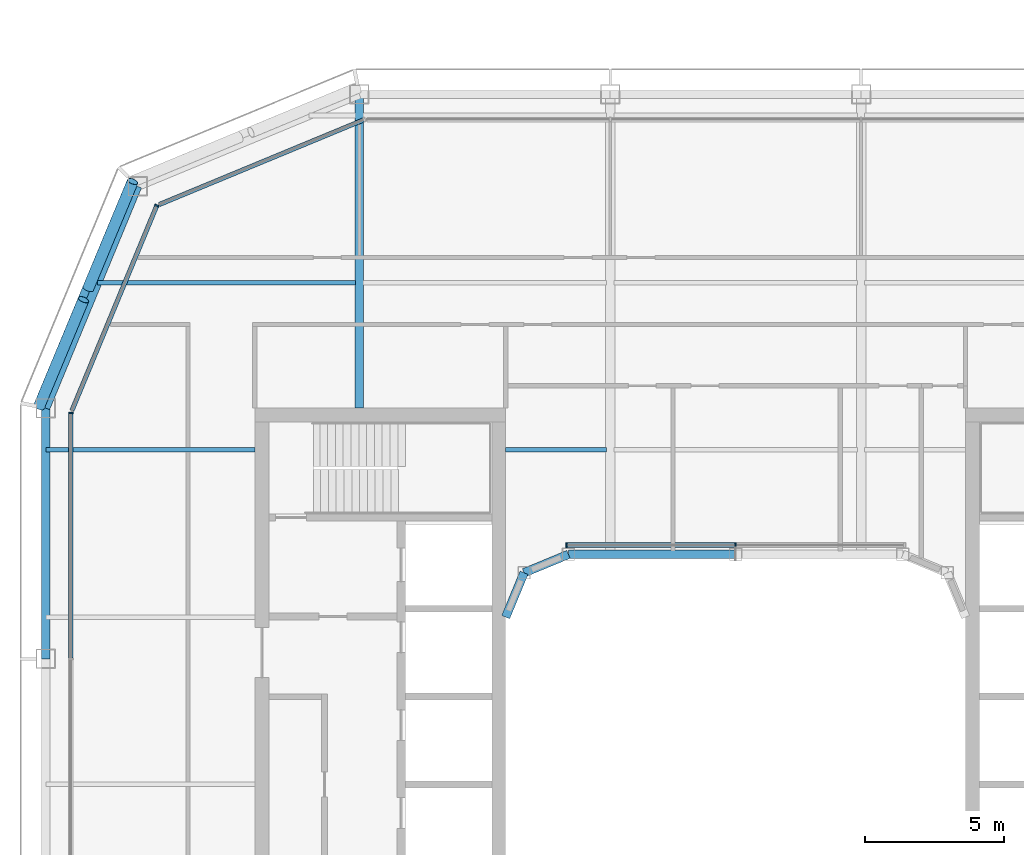
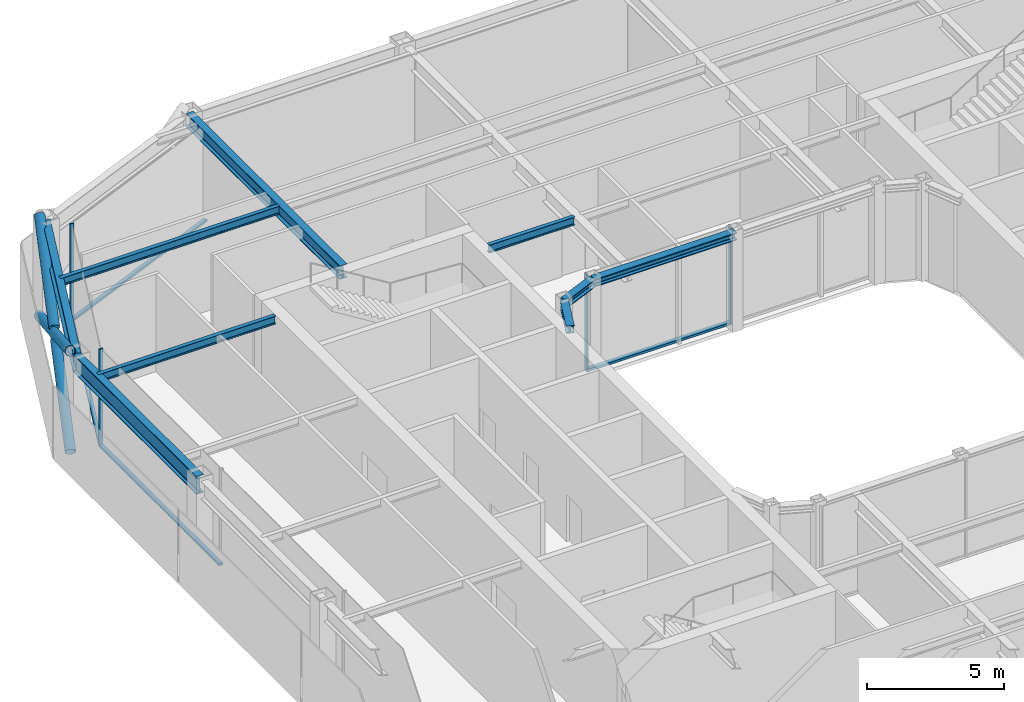
# One storey, part 7 of 21: 11 members, 9 beams, 4 elements without a shape of their own.
"""IFC4 building model written with IfcOpenShell, lengths in metres."""

import ifcopenshell
import ifcopenshell.guid

model = None  # the IFC model being written
_history = None  # IfcOwnerHistory: only IFC2X3 demands one
_inside = {}  # id of a spatial element -> (the spatial element, [elements in it])
_under = {}  # id of a project, library or spatial element -> (it, [spatial elements below it])
_declared = {}  # id of a project -> (the project, [libraries it declares])
_typed = {}  # id of a type object -> (the type object, [elements of that type])
_made_of = {}  # id of a material, layer set ... -> (it, [elements and type objects made of it])


def new_model(schema):
    """Start an empty IFC model of exactly this schema.

    Asked for "IFC4X3", IfcOpenShell would pick the latest addendum, in which some entities
    have other attributes; the version numbers below select the first issue.
    IFC2X3 requires an IfcOwnerHistory on every rooted entity: one is made here for all.
    """
    global model, _history
    if schema == "IFC4X3":
        model = ifcopenshell.file(schema_version=(4, 3, 0, 0))
    else:
        model = ifcopenshell.file(schema=schema)
    _inside.clear()
    _under.clear()
    _declared.clear()
    _typed.clear()
    _made_of.clear()
    _history = None
    if model.schema == "IFC2X3":
        org = make("IfcOrganization", Name="unknown")
        user = make(
            "IfcPersonAndOrganization",
            ThePerson=make("IfcPerson", FamilyName="unknown"),
            TheOrganization=org,
        )
        app = make(
            "IfcApplication",
            ApplicationDeveloper=org,
            Version="unknown",
            ApplicationFullName="unknown",
            ApplicationIdentifier="unknown",
        )
        _history = make(
            "IfcOwnerHistory",
            OwningUser=user,
            OwningApplication=app,
            ChangeAction="ADDED",
            CreationDate=0,
        )
    return model


def make(cls, **values):
    """One entity of the class cls with the attributes given. An attribute that is None is left unset."""
    return model.create_entity(
        cls, **{name: value for name, value in values.items() if value is not None}
    )


def rooted(cls, **values):
    """An entity with a GlobalId (a new one), such as an element, a storey or a relation."""
    return make(cls, GlobalId=ifcopenshell.guid.new(), OwnerHistory=_history, **values)


def si_unit(unit_type, name, prefix=None):
    """IfcSIUnit, for example si_unit("LENGTHUNIT", "METRE", prefix="MILLI")."""
    return make("IfcSIUnit", UnitType=unit_type, Prefix=prefix, Name=name)


def assignment(units):
    """IfcUnitAssignment: the units of a project."""
    return None if units is None else make("IfcUnitAssignment", Units=units)


def point(xyz):
    """IfcCartesianPoint."""
    return None if xyz is None else make("IfcCartesianPoint", Coordinates=xyz)


def direction(xyz):
    """IfcDirection."""
    return None if xyz is None else make("IfcDirection", DirectionRatios=xyz)


def frame(location, z_axis=None, x_axis=None):
    """IfcAxis2Placement3D, a coordinate frame: its origin and axes. An axis left out is left unset."""
    return make(
        "IfcAxis2Placement3D",
        Location=point(location),
        Axis=direction(z_axis),
        RefDirection=direction(x_axis),
    )


def frame_2d(location, x_axis=None):
    """IfcAxis2Placement2D, a coordinate frame in the plane: its origin and x axis."""
    return make(
        "IfcAxis2Placement2D", Location=point(location), RefDirection=direction(x_axis)
    )


def origin():
    """The frame at (0, 0, 0) with its axes left unset."""
    return frame((0.0, 0.0, 0.0))


def origin_2d():
    """The frame at (0, 0) in the plane with its x axis left unset."""
    return frame_2d((0.0, 0.0))


def place(relative_to, where):
    """IfcLocalPlacement: puts the frame where relative to a parent placement (None: the world)."""
    return make(
        "IfcLocalPlacement", PlacementRelTo=relative_to, RelativePlacement=where
    )


def context(
    kind, dimensions, precision=None, world=None, true_north=None, identifier=None
):
    """IfcGeometricRepresentationContext, for example the 3D "Model" context."""
    return make(
        "IfcGeometricRepresentationContext",
        ContextIdentifier=identifier,
        ContextType=kind,
        CoordinateSpaceDimension=dimensions,
        Precision=precision,
        WorldCoordinateSystem=world,
        TrueNorth=true_north,
    )


def subcontext(parent, identifier, kind, view, scale=None):
    """IfcGeometricRepresentationSubContext, for example "Body" below "Model"."""
    return make(
        "IfcGeometricRepresentationSubContext",
        ContextIdentifier=identifier,
        ContextType=kind,
        ParentContext=parent,
        TargetScale=scale,
        TargetView=view,
    )


def project(units=None, contexts=None):
    """IfcProject with its units and contexts."""
    return rooted(
        "IfcProject",
        Name="project",
        RepresentationContexts=contexts,
        UnitsInContext=assignment(units),
    )


def spatial(cls, under=None, at=None, **own):
    """A site, building, storey or space (cls), placed at a placement, below another one or the project."""
    s = rooted(cls, ObjectPlacement=at, **own)
    if under is not None:
        _under.setdefault(under.id(), (under, []))[1].append(s)
    return s


def profile(cls, at=None, kind="AREA", **sizes):
    """A parametric profile (cls). Its sizes go by their IFC names, for example OverallWidth=200.0."""
    return make(cls, ProfileType=kind, Position=at, **sizes)


def rectangle(**sizes):
    """IfcRectangleProfileDef."""
    return profile("IfcRectangleProfileDef", **sizes)


def hollow_circle(**sizes):
    """IfcCircleHollowProfileDef."""
    return profile("IfcCircleHollowProfileDef", **sizes)


def i_section(**sizes):
    """IfcIShapeProfileDef."""
    return profile("IfcIShapeProfileDef", **sizes)


def extrude(swept, where, along, depth):
    """IfcExtrudedAreaSolid: the profile swept, set in the frame where, extruded along a direction by depth."""
    return make(
        "IfcExtrudedAreaSolid",
        SweptArea=swept,
        Position=where,
        ExtrudedDirection=direction(along),
        Depth=depth,
    )


def shape(context_of_items, identifier, shape_type, items):
    """IfcShapeRepresentation: the items that make up one representation, for example the "Body"."""
    return make(
        "IfcShapeRepresentation",
        ContextOfItems=context_of_items,
        RepresentationIdentifier=identifier,
        RepresentationType=shape_type,
        Items=items,
    )


def material(Name=None, Category=None):
    """IfcMaterial."""
    return make("IfcMaterial", Name=Name, Category=Category)


def layer(
    of_material, thickness, ventilated=None, Name=None, Category=None, Priority=None
):
    """IfcMaterialLayer: one layer of a wall or slab, of a material (None: an air gap)."""
    return make(
        "IfcMaterialLayer",
        Material=of_material,
        LayerThickness=thickness,
        IsVentilated=ventilated,
        Name=Name,
        Category=Category,
        Priority=Priority,
    )


def layer_set(layers, Name=None):
    """IfcMaterialLayerSet."""
    return make("IfcMaterialLayerSet", MaterialLayers=layers, LayerSetName=Name)


def material_profile(
    of_material, cross_section, Name=None, Category=None, Priority=None
):
    """IfcMaterialProfile: a cross section and its material."""
    return make(
        "IfcMaterialProfile",
        Name=Name,
        Material=of_material,
        Profile=cross_section,
        Priority=Priority,
        Category=Category,
    )


def profile_set(profiles, Name=None, composite=None):
    """IfcMaterialProfileSet."""
    return make(
        "IfcMaterialProfileSet",
        Name=Name,
        MaterialProfiles=profiles,
        CompositeProfile=composite,
    )


def made_of(thing, what):
    """Note that an element or type object is made of a material, layer set ...; save() writes the relation."""
    if what is not None:
        _made_of.setdefault(what.id(), (what, []))[1].append(thing)
    return thing


def type_object(cls, material=None, **own):
    """A type object (cls), such as IfcWallType, which elements share."""
    return made_of(rooted(cls, **own), material)


def element(
    cls,
    number,
    at=None,
    inside=None,
    cuts=None,
    type_object=None,
    material=None,
    context=None,
    identifier="Body",
    shape_type=None,
    held_by="IfcProductDefinitionShape",
    body=None,
    shapes=None,
    **own,
):
    """One element of the class cls, such as IfcWall. Its Tag is "e" and its number.

    at: its placement. inside: the storey or other place that contains it. cuts: it is an
    opening in that element (IfcRelVoidsElement). A single representation is given by context,
    identifier, shape_type and body (its items); several are given by shapes. held_by: the class
    of the entity that holds the representations. save() writes the other relations.
    """
    e = rooted(cls, Tag="e%d" % number, ObjectPlacement=at, **own)
    if body is not None:
        shapes = [shape(context, identifier, shape_type, body)]
    if shapes is not None:
        e.Representation = make(held_by, Representations=shapes)
    if inside is not None:
        _inside.setdefault(inside.id(), (inside, []))[1].append(e)
    if cuts is not None:
        rooted(
            "IfcRelVoidsElement", RelatingBuildingElement=cuts, RelatedOpeningElement=e
        )
    if type_object is not None:
        _typed.setdefault(type_object.id(), (type_object, []))[1].append(e)
    return made_of(e, material)


def aggregate(whole, parts):
    """IfcRelAggregates: a whole, such as a stair, and the parts it consists of."""
    return rooted("IfcRelAggregates", RelatingObject=whole, RelatedObjects=parts)


def save(model, path):
    """Write the relations noted so far, then the file.

    IfcRelAggregates (storeys below a building ...), IfcRelContainedInSpatialStructure (elements
    in a storey), IfcRelDefinesByType, IfcRelAssociatesMaterial and IfcRelDeclares: one each for
    every whole, place, type object, material and project.
    """
    for whole, parts in _under.values():
        aggregate(whole, parts)
    for where, things in _inside.values():
        rooted(
            "IfcRelContainedInSpatialStructure",
            RelatedElements=things,
            RelatingStructure=where,
        )
    for kind, things in _typed.values():
        rooted("IfcRelDefinesByType", RelatedObjects=things, RelatingType=kind)
    for what, things in _made_of.values():
        rooted("IfcRelAssociatesMaterial", RelatedObjects=things, RelatingMaterial=what)
    for by, libraries in _declared.values():
        rooted("IfcRelDeclares", RelatingContext=by, RelatedDefinitions=libraries)
    model.write(path)


model = new_model("IFC4")

# Units and contexts
model_context = context("Model", 3, precision=1e-05, world=origin(), true_north=direction((0.0, 1.0)))
body_context = subcontext(model_context, "Body", "Model", "MODEL_VIEW")
ifc_project = project(units=[si_unit("LENGTHUNIT", "METRE"), si_unit("AREAUNIT", "SQUARE_METRE"), si_unit("VOLUMEUNIT", "CUBIC_METRE"), si_unit("PLANEANGLEUNIT", "RADIAN"), si_unit("MASSUNIT", "GRAM", prefix="KILO")], contexts=[model_context])

# Site, building, storey
site_placement = place(None, origin())
site = spatial("IfcSite", under=ifc_project, at=site_placement, CompositionType="ELEMENT")
building_placement = place(site_placement, origin())
building = spatial("IfcBuilding", under=site, at=building_placement, Name="Siwar Civic Tower", CompositionType="ELEMENT")
storey_placement = place(building_placement, frame((0.0, 0.0, 325.699951171875)))
storey = spatial("IfcBuildingStorey", under=building, at=storey_placement, Name="L70", CompositionType="ELEMENT", Elevation=325.699951171875)

# Curtain wall, member
ifc_material_1 = material(Name="Aluminium clad insulated panel", Category="aluminium")
ifc_layer_1 = layer(ifc_material_1, 0.159912109375)
ifc_layer_set_1 = layer_set([ifc_layer_1], Name="Aluminium clad insulated panel")
curtain_wall_type_1 = type_object("IfcCurtainWallType", Name="ENV-CW-DX", PredefinedType="NOTDEFINED", material=ifc_layer_set_1)
curtain_wall_1_placement = place(storey_placement, origin())
curtain_wall_1 = element("IfcCurtainWall", 1, at=curtain_wall_1_placement, inside=storey, type_object=curtain_wall_type_1, Name="Curtain wall D NW2", PredefinedType="NOTDEFINED")
ifc_material_2 = material(Name="Aluminium 6063-T6", Category="aluminium")
ifc_material_profile_1 = material_profile(ifc_material_2, rectangle(XDim=0.159912109375, YDim=0.06005859375, at=origin_2d()), Name="AL 160x60")
ifc_profile_set_1 = profile_set([ifc_material_profile_1], Name="Aluminium 6063-T6")
member_type_1 = type_object("IfcMemberType", Name="ENV-MULLION-D", PredefinedType="MULLION", material=ifc_profile_set_1)
member_1_placement = place(storey_placement, frame((-20.76611328125, 20.76611328125, 0.0), z_axis=(0.0, 0.0, 1.0), x_axis=(0.923879532511, -0.382683432365, 0.0)))
member_1 = element("IfcMember", 2, at=member_1_placement, type_object=member_type_1, Name="Mullion D NW2 1", PredefinedType="MULLION", context=body_context, shape_type="SweptSolid", body=[
    extrude(rectangle(XDim=0.159912109375, YDim=0.06005859375, at=origin_2d()), origin(), (0.0, 0.0, 1.0), 4.35009765625),
])

ifc_material_3 = material(Name="Aluminium and glass", Category="aluminium")
ifc_layer_2 = layer(ifc_material_3, 0.159912109375)
ifc_layer_set_2 = layer_set([ifc_layer_2], Name="Aluminium and glass")
curtain_wall_type_2 = type_object("IfcCurtainWallType", Name="ENV-CW-D", PredefinedType="NOTDEFINED", material=ifc_layer_set_2)
curtain_wall_2_placement = place(storey_placement, origin())
curtain_wall_2 = element("IfcCurtainWall", 3, at=curtain_wall_2_placement, inside=storey, type_object=curtain_wall_type_2, Name="Curtain wall D W", PredefinedType="NOTDEFINED")
member_2_placement = place(storey_placement, frame((-23.85009765625, 13.321044921875, 0.0), z_axis=(0.0, 0.0, 1.0), x_axis=(1.0, 0.0, 0.0)))
member_2 = element("IfcMember", 4, at=member_2_placement, type_object=member_type_1, Name="Mullion D W 1", PredefinedType="MULLION", context=body_context, shape_type="SweptSolid", body=[
    extrude(rectangle(XDim=0.159912109375, YDim=0.06005859375, at=origin_2d()), origin(), (0.0, 0.0, 1.0), 4.35009765625),
])

# Curtain wall, members
ifc_material_4 = material(Name="Aluminium and glass", Category="aluminium")
ifc_layer_3 = layer(ifc_material_4, 0.179931640625)
ifc_layer_set_3 = layer_set([ifc_layer_3], Name="Aluminium and glass")
curtain_wall_type_3 = type_object("IfcCurtainWallType", Name="ENV-CW-W", PredefinedType="NOTDEFINED", material=ifc_layer_set_3)
curtain_wall_3_placement = place(storey_placement, origin())
curtain_wall_3 = element("IfcCurtainWall", 5, at=curtain_wall_3_placement, inside=storey, type_object=curtain_wall_type_3, Name="Curtain wall W WN", PredefinedType="NOTDEFINED")
ifc_material_5 = material(Name="Aluminium 6063-T6", Category="aluminium")
ifc_material_profile_2 = material_profile(ifc_material_5, rectangle(XDim=0.179931640625, YDim=0.06005859375, at=origin_2d()), Name="AL 180x60")
ifc_profile_set_2 = profile_set([ifc_material_profile_2], Name="Aluminium 6063-T6")
member_type_2 = type_object("IfcMemberType", Name="ENV-MULLION-W", PredefinedType="MULLION", material=ifc_profile_set_2)
member_3_placement = place(storey_placement, frame((0.0, 8.5849609375, 0.0), z_axis=(0.0, 0.0, 1.0), x_axis=(0.0, -1.0, 0.0)))
member_3 = element("IfcMember", 6, at=member_3_placement, type_object=member_type_2, Name="Mullion W WN 2", PredefinedType="MULLION", context=body_context, shape_type="SweptSolid", body=[
    extrude(rectangle(XDim=0.179931640625, YDim=0.06005859375, at=origin_2d()), origin(), (0.0, 0.0, 1.0), 4.35009765625),
])
member_4_placement = place(storey_placement, frame((-6.066650390625, 8.5849609375, 0.0), z_axis=(0.0, 0.0, 1.0), x_axis=(0.0, -1.0, 0.0)))
member_4 = element("IfcMember", 7, at=member_4_placement, type_object=member_type_2, Name="Mullion W WN 3", PredefinedType="MULLION", context=body_context, shape_type="SweptSolid", body=[
    extrude(rectangle(XDim=0.179931640625, YDim=0.06005859375, at=origin_2d()), origin(), (0.0, 0.0, 1.0), 4.35009765625),
])

# Curtain wall, member
curtain_wall_4_placement = place(storey_placement, origin())
curtain_wall_4 = element("IfcCurtainWall", 8, at=curtain_wall_4_placement, inside=storey, type_object=curtain_wall_type_1, Name="Curtain wall D NW1", PredefinedType="NOTDEFINED")
ifc_material_6 = material(Name="Aluminium 6063-T6", Category="aluminium")
ifc_material_profile_3 = material_profile(ifc_material_6, rectangle(XDim=0.159912109375, YDim=0.10009765625, at=origin_2d()), Name="AL 160x100")
ifc_profile_set_3 = profile_set([ifc_material_profile_3], Name="Aluminium 6063-T6")
member_type_3 = type_object("IfcMemberType", Name="ENV-TRANSOM-D", PredefinedType="USERDEFINED", material=ifc_profile_set_3)
member_5_placement = place(storey_placement, frame((-13.3486328125, 23.838623046875, 0.050048828125), z_axis=(-0.923872756612, -0.382699790424, 0.0), x_axis=(0.382699790424, -0.923872756612, 0.0)))
member_5 = element("IfcMember", 9, at=member_5_placement, type_object=member_type_3, Name="Transom D NW1 1", ObjectType="TRANSOM", PredefinedType="USERDEFINED", context=body_context, shape_type="SweptSolid", body=[
    extrude(rectangle(XDim=0.159912109375, YDim=0.10009765625, at=origin_2d()), origin(), (0.0, 0.0, 1.0), 7.930908203125),
])
aggregate(curtain_wall_4, [member_5])

# Member
member_6_placement = place(storey_placement, frame((-20.777587890625, 20.738525390625, 0.050048828125), z_axis=(-0.382673515031, -0.923883640343, 0.0), x_axis=(0.923883640343, -0.382673515031, 0.0)))
member_6 = element("IfcMember", 10, at=member_6_placement, type_object=member_type_3, Name="Transom D NW2 1", ObjectType="TRANSOM", PredefinedType="USERDEFINED", context=body_context, shape_type="SweptSolid", body=[
    extrude(rectangle(XDim=0.159912109375, YDim=0.10009765625, at=origin_2d()), origin(), (0.0, 0.0, 1.0), 7.930908203125),
])

aggregate(curtain_wall_1, [member_1, member_6])

member_7_placement = place(storey_placement, frame((-23.85009765625, 13.291015625, 0.050048828125), z_axis=(0.0, -1.0, 0.0), x_axis=(1.0, 0.0, 0.0)))
member_7 = element("IfcMember", 11, at=member_7_placement, type_object=member_type_3, Name="Transom D W 1", ObjectType="TRANSOM", PredefinedType="USERDEFINED", context=body_context, shape_type="SweptSolid", body=[
    extrude(rectangle(XDim=0.159912109375, YDim=0.10009765625, at=origin_2d()), origin(), (0.0, 0.0, 1.0), 8.760986328125),
])

aggregate(curtain_wall_2, [member_2, member_7])

ifc_material_7 = material(Name="Aluminium 6063-T6", Category="aluminium")
ifc_material_profile_4 = material_profile(ifc_material_7, rectangle(XDim=0.179931640625, YDim=0.10009765625, at=origin_2d()), Name="AL 180x100")
ifc_profile_set_4 = profile_set([ifc_material_profile_4], Name="Aluminium 6063-T6")
member_type_4 = type_object("IfcMemberType", Name="ENV-TRANSOM-W", PredefinedType="USERDEFINED", material=ifc_profile_set_4)
member_8_placement = place(storey_placement, frame((-0.030029296875, 8.5849609375, 0.050048828125), z_axis=(-1.0, 0.0, 0.0), x_axis=(0.0, -1.0, 0.0)))
member_8 = element("IfcMember", 12, at=member_8_placement, type_object=member_type_4, Name="Transom W WN 2", ObjectType="TRANSOM", PredefinedType="USERDEFINED", context=body_context, shape_type="SweptSolid", body=[
    extrude(rectangle(XDim=0.179931640625, YDim=0.10009765625, at=origin_2d()), origin(), (0.0, 0.0, 1.0), 6.006591796875),
])

aggregate(curtain_wall_3, [member_3, member_4, member_8])

# Members
ifc_material_8 = material(Name="Steel S355", Category="steel")
ifc_material_profile_5 = material_profile(ifc_material_8, hollow_circle(Radius=0.203125, WallThickness=0.01611328125, at=origin_2d()), Name="CHS406.4x16")
ifc_profile_set_5 = profile_set([ifc_material_profile_5], Name="Steel S355")
member_type_5 = type_object("IfcMemberType", Name="STR-BR-CHS406.4x16", PredefinedType="BRACE", material=ifc_profile_set_5)
member_9_placement = place(storey_placement, frame((-21.6318359375, 21.6318359375, 0.0), z_axis=(-0.341671493852, -0.821142553604, 0.457149315816), x_axis=(0.923264922524, -0.384163874976, 0.0)))
element("IfcMember", 13, at=member_9_placement, inside=storey, type_object=member_type_5, Name="L70/brc/DNW1-9-0-1", PredefinedType="BRACE", context=body_context, shape_type="SweptSolid", body=[
    extrude(hollow_circle(Radius=0.203125, WallThickness=0.01611328125, at=origin_2d()), origin(), (0.0, 0.0, 1.0), 9.843505859375),
])
for number, where, z_axis, x_axis, name in (
    (14, (-24.9951171875, 13.548828125, 0.0), (0.341659024948, 0.821130093572, 0.45718101459), (-0.923267827529, 0.384156893273, 0.0), "L70/brc/DNW1-9-0-2"),
    (15, (-23.229736328125, 17.791259765625, 2.362060546875), (0.341652533125, 0.821166691915, 0.457120127208), (-0.923276488787, 0.38413607648, 0.0), "L70/brc/DNW1-9-0-3"),
):
    element("IfcMember", number, at=place(storey_placement, frame(where, z_axis=z_axis, x_axis=x_axis)), inside=storey, type_object=member_type_5, Name=name, PredefinedType="BRACE", context=body_context, shape_type="SweptSolid", body=[
        extrude(hollow_circle(Radius=0.203125, WallThickness=0.01611328125, at=origin_2d()), origin(), (0.0, 0.0, 1.0), 4.677001953125),
    ])

# Beams
ifc_material_9 = material(Name="Steel S355", Category="steel")
ifc_material_profile_6 = material_profile(ifc_material_9, i_section(OverallWidth=0.169921875, OverallDepth=0.360107421875, WebThickness=0.008056640625, FlangeThickness=0.0126953125, FilletRadius=0.01806640625, at=origin_2d()), Name="IPE360")
ifc_profile_set_6 = profile_set([ifc_material_profile_6], Name="Steel S355")
beam_type_1 = type_object("IfcBeamType", Name="STR-FB-IPE360", PredefinedType="JOIST", material=ifc_profile_set_6)
beam_1_placement = place(storey_placement, frame((-24.75, 12.0, 4.170166015625), z_axis=(1.0, 0.0, 0.0), x_axis=(0.0, 1.0, 0.0)))
element("IfcBeam", 16, at=beam_1_placement, inside=storey, type_object=beam_type_1, Name="L70/bm/F022", PredefinedType="JOIST", context=body_context, shape_type="SweptSolid", body=[
    extrude(i_section(OverallWidth=0.169921875, OverallDepth=0.360107421875, WebThickness=0.008056640625, FlangeThickness=0.0126953125, FilletRadius=0.01806640625, at=origin_2d()), origin(), (0.0, 0.0, 1.0), 7.5),
])
beam_2_placement = place(storey_placement, frame((-8.25, 12.0, 4.170166015625), z_axis=(1.0, 0.0, 0.0), x_axis=(0.0, 1.0, 0.0)))
element("IfcBeam", 17, at=beam_2_placement, inside=storey, type_object=beam_type_1, Name="L70/bm/F023", PredefinedType="JOIST", context=body_context, shape_type="SweptSolid", body=[
    extrude(i_section(OverallWidth=0.169921875, OverallDepth=0.360107421875, WebThickness=0.008056640625, FlangeThickness=0.0126953125, FilletRadius=0.01806640625, at=origin_2d()), origin(), (0.0, 0.0, 1.0), 3.6201171875),
])
beam_3_placement = place(storey_placement, frame((-22.885986328125, 18.0, 4.170166015625), z_axis=(1.0, 0.0, 0.0), x_axis=(0.0, 1.0, 0.0)))
element("IfcBeam", 18, at=beam_3_placement, inside=storey, type_object=beam_type_1, Name="L70/bm/F027", PredefinedType="JOIST", context=body_context, shape_type="SweptSolid", body=[
    extrude(i_section(OverallWidth=0.169921875, OverallDepth=0.360107421875, WebThickness=0.008056640625, FlangeThickness=0.0126953125, FilletRadius=0.01806640625, at=origin_2d()), origin(), (0.0, 0.0, 1.0), 9.256103515625),
])
ifc_material_10 = material(Name="Steel S355", Category="steel")
ifc_material_profile_7 = material_profile(ifc_material_10, i_section(OverallWidth=0.300048828125, OverallDepth=0.60009765625, WebThickness=0.015380859375, FlangeThickness=0.030029296875, FilletRadius=0.027099609375, at=origin_2d()), Name="HEB600")
ifc_profile_set_7 = profile_set([ifc_material_profile_7], Name="Steel S355")
beam_type_2 = type_object("IfcBeamType", Name="STR-PG-HEB600", PredefinedType="BEAM", material=ifc_profile_set_7)
beam_4_placement = place(storey_placement, frame((-13.5, 13.5, 4.050048828125), z_axis=(0.0, 1.0, 0.0), x_axis=(-1.0, 0.0, 0.0)))
element("IfcBeam", 19, at=beam_4_placement, inside=storey, type_object=beam_type_2, Name="L70/bm/G02", PredefinedType="BEAM", context=body_context, shape_type="SweptSolid", body=[
    extrude(i_section(OverallWidth=0.300048828125, OverallDepth=0.60009765625, WebThickness=0.015380859375, FlangeThickness=0.030029296875, FilletRadius=0.027099609375, at=origin_2d()), origin(), (0.0, 0.0, 1.0), 11.25),
])
ifc_material_11 = material(Name="Steel S355", Category="steel")
ifc_material_profile_8 = material_profile(ifc_material_11, i_section(OverallWidth=0.31005859375, OverallDepth=0.340087890625, WebThickness=0.02099609375, FlangeThickness=0.0390625, FilletRadius=0.027099609375, at=origin_2d()), Name="HEM300")
ifc_profile_set_8 = profile_set([ifc_material_profile_8], Name="Steel S355")
beam_type_3 = type_object("IfcBeamType", Name="STR-RB-HEM300", PredefinedType="BEAM", material=ifc_profile_set_8)
beam_5_placement = place(storey_placement, frame((-7.591064453125, 7.591064453125, 4.179931640625), z_axis=(0.923901072997, 0.382631424892, 0.0), x_axis=(-0.382631424892, 0.923901072997, 0.0)))
element("IfcBeam", 20, at=beam_5_placement, inside=storey, type_object=beam_type_3, Name="L70/bm/RN0", PredefinedType="BEAM", context=body_context, shape_type="SweptSolid", body=[
    extrude(i_section(OverallWidth=0.31005859375, OverallDepth=0.340087890625, WebThickness=0.02099609375, FlangeThickness=0.0390625, FilletRadius=0.027099609375, at=origin_2d()), origin(), (0.0, 0.0, 1.0), 1.72216796875),
])
beam_6_placement = place(storey_placement, frame((-6.0, 8.25, 4.179931640625), z_axis=(1.0, 0.0, 0.0), x_axis=(0.0, 1.0, 0.0)))
element("IfcBeam", 21, at=beam_6_placement, inside=storey, type_object=beam_type_3, Name="L70/bm/RN1", PredefinedType="BEAM", context=body_context, shape_type="SweptSolid", body=[
    extrude(i_section(OverallWidth=0.31005859375, OverallDepth=0.340087890625, WebThickness=0.02099609375, FlangeThickness=0.0390625, FilletRadius=0.027099609375, at=origin_2d()), origin(), (0.0, 0.0, 1.0), 6.0),
])
beam_7_placement = place(storey_placement, frame((-7.591064453125, 7.591064453125, 4.179931640625), z_axis=(-0.382631424892, -0.923901072997, 0.0), x_axis=(0.923901072997, -0.382631424892, 0.0)))
element("IfcBeam", 22, at=beam_7_placement, inside=storey, type_object=beam_type_3, Name="L70/bm/RNEW", PredefinedType="BEAM", context=body_context, shape_type="SweptSolid", body=[
    extrude(i_section(OverallWidth=0.31005859375, OverallDepth=0.340087890625, WebThickness=0.02099609375, FlangeThickness=0.0390625, FilletRadius=0.027099609375, at=origin_2d()), origin(), (0.0, 0.0, 1.0), 1.72216796875),
])
ifc_material_12 = material(Name="Steel S355", Category="steel")
ifc_material_profile_9 = material_profile(ifc_material_12, i_section(OverallWidth=0.300048828125, OverallDepth=0.800048828125, WebThickness=0.017578125, FlangeThickness=0.032958984375, FilletRadius=0.030029296875, at=origin_2d()), Name="HEB800")
ifc_profile_set_9 = profile_set([ifc_material_profile_9], Name="Steel S355")
beam_type_4 = type_object("IfcBeamType", Name="STR-SB-HEB800", PredefinedType="BEAM", material=ifc_profile_set_9)
beam_8_placement = place(storey_placement, frame((-21.454833984375, 21.454833984375, 3.949951171875), z_axis=(-0.382699877515, -0.923872720536, 0.0), x_axis=(0.923872720536, -0.382699877515, 0.0)))
element("IfcBeam", 23, at=beam_8_placement, inside=storey, type_object=beam_type_4, Name="L70/bm/SNW2-0", PredefinedType="BEAM", context=body_context, shape_type="SweptSolid", body=[
    extrude(i_section(OverallWidth=0.300048828125, OverallDepth=0.800048828125, WebThickness=0.017578125, FlangeThickness=0.032958984375, FilletRadius=0.030029296875, at=origin_2d()), origin(), (0.0, 0.0, 1.0), 8.6103515625),
])
beam_9_placement = place(storey_placement, frame((-24.75, 13.5, 3.949951171875), z_axis=(0.0, -1.0, 0.0), x_axis=(1.0, 0.0, 0.0)))
element("IfcBeam", 24, at=beam_9_placement, inside=storey, type_object=beam_type_4, Name="L70/bm/SW-0", PredefinedType="BEAM", context=body_context, shape_type="SweptSolid", body=[
    extrude(i_section(OverallWidth=0.300048828125, OverallDepth=0.800048828125, WebThickness=0.017578125, FlangeThickness=0.032958984375, FilletRadius=0.030029296875, at=origin_2d()), origin(), (0.0, 0.0, 1.0), 9.0),
])

save(model, "model.ifc")
